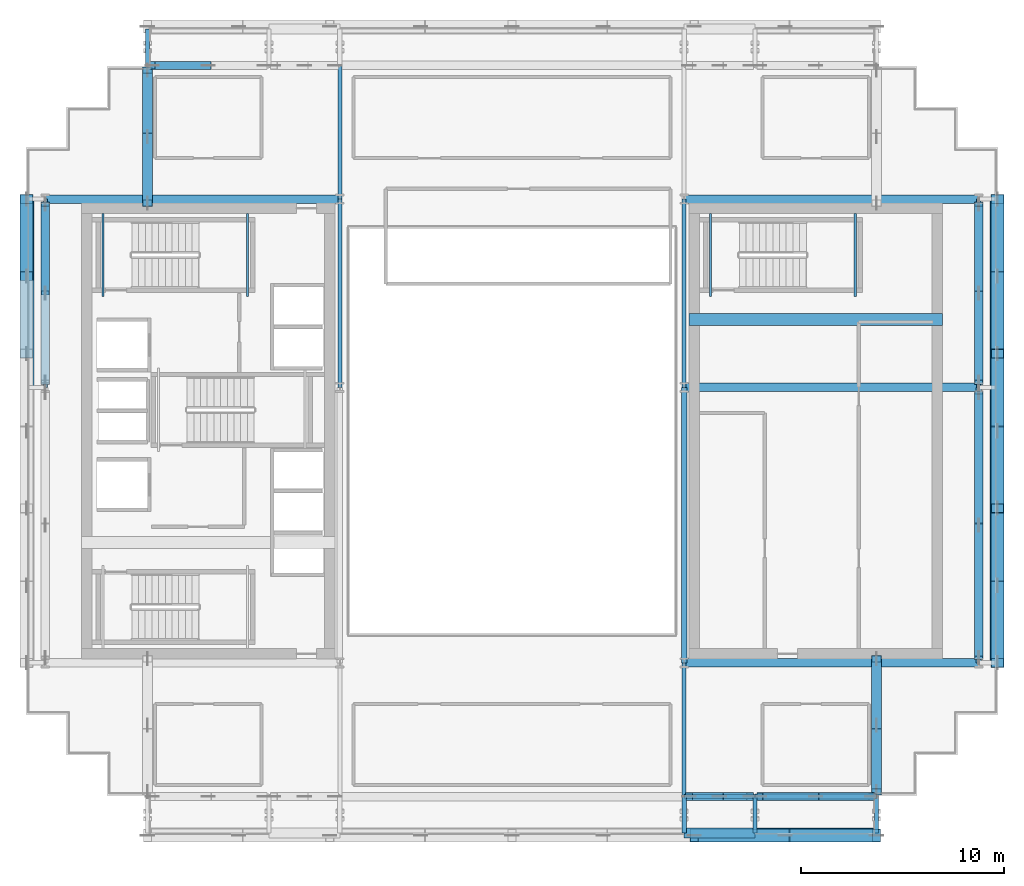
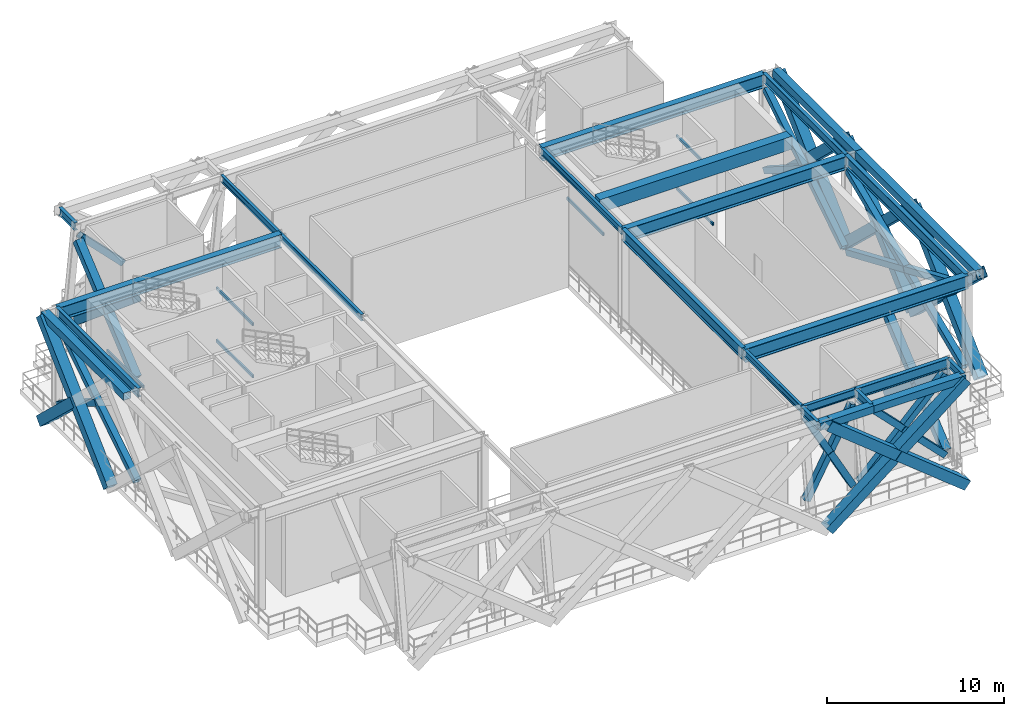
# One storey, part 2 of 13: 35 members, 30 beams.
"""IFC4 building model written with IfcOpenShell, lengths in metres."""

from ifc_helpers import new_model, si_unit, direction, frame, origin, origin_2d, place, context, subcontext, project, spatial, rectangle, hollow_rectangle, i_section, extrude, source, transform, mapped, material, material_profile, profile_set, type_object, element, save


model = new_model("IFC4")

# Units and contexts
model_context = context("Model", 3, precision=1e-05, world=origin(), true_north=direction((0.0, 1.0)))
body_context = subcontext(model_context, "Body", "Model", "MODEL_VIEW")
ifc_project = project(units=[si_unit("LENGTHUNIT", "METRE"), si_unit("AREAUNIT", "SQUARE_METRE"), si_unit("VOLUMEUNIT", "CUBIC_METRE"), si_unit("PLANEANGLEUNIT", "RADIAN"), si_unit("MASSUNIT", "GRAM", prefix="KILO")], contexts=[model_context])

# Site, building, storey
site_placement = place(None, origin())
site = spatial("IfcSite", under=ifc_project, at=site_placement, CompositionType="ELEMENT")
building_placement = place(site_placement, origin())
building = spatial("IfcBuilding", under=site, at=building_placement, Name="Ocotamira Hotel", CompositionType="ELEMENT")
storey_placement = place(building_placement, frame((0.0, 0.0, 220.800048828125)))
storey = spatial("IfcBuildingStorey", under=building, at=storey_placement, Name="L56", CompositionType="ELEMENT", Elevation=220.800048828125)

# Beams
ifc_material_1 = material(Name="Concrete C50/60", Category="concrete")
ifc_material_profile_1 = material_profile(ifc_material_1, rectangle(XDim=0.60009765625, YDim=0.89990234375, at=origin_2d()), Name="RC600X900")
ifc_profile_set_1 = profile_set([ifc_material_profile_1], Name="Concrete C50/60")
beam_type_1 = type_object("IfcBeamType", Name="BM-LINK-RC600", PredefinedType="LINTEL", material=ifc_profile_set_1)
shared_shape_1 = source(origin(), body_context, "Body", "SweptSolid", [
    extrude(rectangle(XDim=0.60009765625, YDim=0.89990234375, at=origin_2d()), origin(), (0.0, 0.0, 1.0), 12.5),
])
beam_1_placement = place(storey_placement, frame((40.75, 31.5, 6.469970703125), z_axis=(1.0, 0.0, 0.0), x_axis=(0.0, 1.0, 0.0)))
element("IfcBeam", 1, at=beam_1_placement, inside=storey, type_object=beam_type_1, Name="L56 East Core Coupling Beam", PredefinedType="LINTEL", context=body_context, shape_type="MappedRepresentation", body=[
    mapped(shared_shape_1, transform((0.0, 0.0, 0.0), scale=1.0)),
])
ifc_material_2 = material(Name="Steel ASTM A500 Grade C", Category="steel")
ifc_material_profile_2 = material_profile(ifc_material_2, hollow_rectangle(XDim=0.10009765625, YDim=0.199951171875, WallThickness=0.008056640625, at=origin_2d()), Name="HSS200X100X8")
ifc_profile_set_2 = profile_set([ifc_material_profile_2], Name="Steel ASTM A500 Grade C")
beam_type_2 = type_object("IfcBeamType", Name="BM-STLDG-HSS200", PredefinedType="BEAM", material=ifc_profile_set_2)
shared_shape_2 = source(origin(), body_context, "Body", "SweptSolid", [
    extrude(hollow_rectangle(XDim=0.10009765625, YDim=0.199951171875, WallThickness=0.008056640625, at=origin_2d()), origin(), (0.0, 0.0, 1.0), 4.1201171875),
])
for number, where, z_axis, x_axis, name in (
    (2, (18.949951171875, 32.6298828125, 1.5), (0.0, 1.0, 0.0), (-1.0, 0.0, 0.0), "L56 Stair ST-2 Landing Bearer 1"),
    (3, (11.81005859375, 32.6298828125, 3.300048828125), (0.0, 1.0, 0.0), (-1.0, 0.0, 0.0), "L56 Stair ST-2 Landing Bearer 2"),
    (4, (18.949951171875, 32.6298828125, 5.099853515625), (0.0, 1.0, 0.0), (-1.0, 0.0, 0.0), "L56 Stair ST-2 Landing Bearer 3"),
    (5, (48.949951171875, 32.6298828125, 1.5), (0.0, 1.0, 0.0), (-1.0, 0.0, 0.0), "L56 Stair ST-4 Landing Bearer 1"),
    (6, (41.81005859375, 32.6298828125, 3.300048828125), (0.0, 1.0, 0.0), (-1.0, 0.0, 0.0), "L56 Stair ST-4 Landing Bearer 2"),
    (7, (48.949951171875, 32.6298828125, 5.099853515625), (0.0, 1.0, 0.0), (-1.0, 0.0, 0.0), "L56 Stair ST-4 Landing Bearer 3"),
):
    element("IfcBeam", number, at=place(storey_placement, frame(where, z_axis=z_axis, x_axis=x_axis)), inside=storey, type_object=beam_type_2, Name=name, PredefinedType="BEAM", context=body_context, shape_type="MappedRepresentation", body=[
        mapped(shared_shape_2, transform((0.0, 0.0, 0.0), scale=1.0)),
    ])
ifc_material_3 = material(Name="Steel ASTM A992 Grade 50", Category="steel")
ifc_material_profile_3 = material_profile(ifc_material_3, i_section(OverallWidth=0.41796875, OverallDepth=0.927001953125, WebThickness=0.019287109375, FlangeThickness=0.031982421875, FilletRadius=0.02392578125, at=origin_2d()), Name="W36X231")
ifc_profile_set_3 = profile_set([ifc_material_profile_3], Name="Steel ASTM A992 Grade 50")
beam_type_3 = type_object("IfcBeamType", Name="BM-GIRD-W36X231", PredefinedType="BEAM", material=ifc_profile_set_3)
shared_shape_3 = source(origin(), body_context, "Body", "SweptSolid", [
    extrude(i_section(OverallWidth=0.41796875, OverallDepth=0.927001953125, WebThickness=0.019287109375, FlangeThickness=0.031982421875, FilletRadius=0.02392578125, at=origin_2d()), origin(), (0.0, 0.0, 1.0), 14.550048828125),
])
for number, where, z_axis, x_axis, name in (
    (8, (40.5, 14.550048828125, 6.45654296875), (1.0, 0.0, 0.0), (0.0, 1.0, 0.0), "L56 Girder Y14.55 X40.5-55.05"),
    (9, (40.5, 28.14990234375, 6.45654296875), (1.0, 0.0, 0.0), (0.0, 1.0, 0.0), "L56 Girder Y28.15 X40.5-55.05"),
    (10, (8.949951171875, 37.449951171875, 6.45654296875), (1.0, 0.0, 0.0), (0.0, 1.0, 0.0), "L56 Girder Y37.45 X8.95-23.5"),
    (11, (40.5, 37.449951171875, 6.45654296875), (1.0, 0.0, 0.0), (0.0, 1.0, 0.0), "L56 Girder Y37.45 X40.5-55.05"),
):
    element("IfcBeam", number, at=place(storey_placement, frame(where, z_axis=z_axis, x_axis=x_axis)), inside=storey, type_object=beam_type_3, Name=name, PredefinedType="BEAM", context=body_context, shape_type="MappedRepresentation", body=[
        mapped(shared_shape_3, transform((0.0, 0.0, 0.0), scale=1.0)),
    ])
ifc_material_profile_4 = material_profile(ifc_material_3, i_section(OverallWidth=0.256103515625, OverallDepth=0.693115234375, WebThickness=0.014404296875, FlangeThickness=0.023681640625, FilletRadius=0.01611328125, at=origin_2d()), Name="W27X114")
ifc_profile_set_4 = profile_set([ifc_material_profile_4], Name="Steel ASTM A992 Grade 50")
beam_type_4 = type_object("IfcBeamType", Name="BM-PRIM-W27X114", PredefinedType="BEAM", material=ifc_profile_set_4)
shared_shape_4 = source(origin(), body_context, "Body", "SweptSolid", [
    extrude(i_section(OverallWidth=0.256103515625, OverallDepth=0.693115234375, WebThickness=0.014404296875, FlangeThickness=0.023681640625, FilletRadius=0.01611328125, at=origin_2d()), origin(), (0.0, 0.0, 1.0), 6.0),
])
beam_2_placement = place(storey_placement, frame((44.0, 7.949951171875, 6.573486328125), z_axis=(1.0, 0.0, 0.0), x_axis=(0.0, 1.0, 0.0)))
element("IfcBeam", 12, at=beam_2_placement, inside=storey, type_object=beam_type_4, Name="L56 Girder Y7.95 X44-50", PredefinedType="BEAM", context=body_context, shape_type="MappedRepresentation", body=[
    mapped(shared_shape_4, transform((0.0, 0.0, 0.0), scale=1.0)),
])
ifc_material_profile_5 = material_profile(ifc_material_3, i_section(OverallWidth=0.2099609375, OverallDepth=0.537109375, WebThickness=0.010986328125, FlangeThickness=0.017333984375, FilletRadius=0.012939453125, at=origin_2d()), Name="W21X68")
ifc_profile_set_5 = profile_set([ifc_material_profile_5], Name="Steel ASTM A992 Grade 50")
beam_type_5 = type_object("IfcBeamType", Name="BM-SEC-W21X68", PredefinedType="JOIST", material=ifc_profile_set_5)
shared_shape_5 = source(origin(), body_context, "Body", "SweptSolid", [
    extrude(i_section(OverallWidth=0.2099609375, OverallDepth=0.537109375, WebThickness=0.010986328125, FlangeThickness=0.017333984375, FilletRadius=0.012939453125, at=origin_2d()), origin(), (0.0, 0.0, 1.0), 3.5),
])
beam_3_placement = place(storey_placement, frame((40.5, 7.949951171875, 6.6513671875), z_axis=(1.0, 0.0, 0.0), x_axis=(0.0, 1.0, 0.0)))
element("IfcBeam", 13, at=beam_3_placement, inside=storey, type_object=beam_type_5, Name="L56 Girder Y7.95 X40.5-44", PredefinedType="JOIST", context=body_context, shape_type="MappedRepresentation", body=[
    mapped(shared_shape_5, transform((0.0, 0.0, 0.0), scale=1.0)),
])
ifc_material_profile_6 = material_profile(ifc_material_3, i_section(OverallWidth=0.26611328125, OverallDepth=0.779052734375, WebThickness=0.0166015625, FlangeThickness=0.030029296875, FilletRadius=0.01806640625, at=origin_2d()), Name="W30X148")
ifc_profile_set_6 = profile_set([ifc_material_profile_6], Name="Steel ASTM A992 Grade 50")
beam_type_6 = type_object("IfcBeamType", Name="BM-GIRD-W30X148", PredefinedType="BEAM", material=ifc_profile_set_6)
shared_shape_6 = source(origin(), body_context, "Body", "SweptSolid", [
    extrude(i_section(OverallWidth=0.26611328125, OverallDepth=0.779052734375, WebThickness=0.0166015625, FlangeThickness=0.030029296875, FilletRadius=0.01806640625, at=origin_2d()), origin(), (0.0, 0.0, 1.0), 13.599853515625),
])
for number, where, z_axis, x_axis, name in (
    (14, (40.5, 14.550048828125, 6.530517578125), (0.0, 1.0, 0.0), (-1.0, 0.0, 0.0), "L56 Beam X40.5 Y14.55-28.15"),
    (15, (55.050048828125, 14.550048828125, 6.530517578125), (0.0, 1.0, 0.0), (-1.0, 0.0, 0.0), "L56 Beam X55.05 Y14.55-28.15"),
):
    element("IfcBeam", number, at=place(storey_placement, frame(where, z_axis=z_axis, x_axis=x_axis)), inside=storey, type_object=beam_type_6, Name=name, PredefinedType="BEAM", context=body_context, shape_type="MappedRepresentation", body=[
        mapped(shared_shape_6, transform((0.0, 0.0, 0.0), scale=1.0)),
    ])
ifc_material_profile_7 = material_profile(ifc_material_3, i_section(OverallWidth=0.22998046875, OverallDepth=0.616943359375, WebThickness=0.01318359375, FlangeThickness=0.022216796875, FilletRadius=0.012939453125, at=origin_2d()), Name="W24X94")
ifc_profile_set_7 = profile_set([ifc_material_profile_7], Name="Steel ASTM A992 Grade 50")
beam_type_7 = type_object("IfcBeamType", Name="BM-PRIM-W24X94", PredefinedType="BEAM", material=ifc_profile_set_7)
shared_shape_7 = source(origin(), body_context, "Body", "SweptSolid", [
    extrude(i_section(OverallWidth=0.22998046875, OverallDepth=0.616943359375, WebThickness=0.01318359375, FlangeThickness=0.022216796875, FilletRadius=0.012939453125, at=origin_2d()), origin(), (0.0, 0.0, 1.0), 9.300048828125),
])
for number, where, z_axis, x_axis, name in (
    (16, (8.949951171875, 28.14990234375, 6.611572265625), (0.0, 1.0, 0.0), (-1.0, 0.0, 0.0), "L56 Beam X8.95 Y28.15-37.45"),
    (17, (55.050048828125, 28.14990234375, 6.611572265625), (0.0, 1.0, 0.0), (-1.0, 0.0, 0.0), "L56 Beam X55.05 Y28.15-37.45"),
):
    element("IfcBeam", number, at=place(storey_placement, frame(where, z_axis=z_axis, x_axis=x_axis)), inside=storey, type_object=beam_type_7, Name=name, PredefinedType="BEAM", context=body_context, shape_type="MappedRepresentation", body=[
        mapped(shared_shape_7, transform((0.0, 0.0, 0.0), scale=1.0)),
    ])
ifc_material_profile_8 = material_profile(ifc_material_3, i_section(OverallWidth=0.18994140625, OverallDepth=0.45703125, WebThickness=0.009033203125, FlangeThickness=0.014404296875, FilletRadius=0.010009765625, at=origin_2d()), Name="W18X50")
ifc_profile_set_8 = profile_set([ifc_material_profile_8], Name="Steel ASTM A992 Grade 50")
beam_type_8 = type_object("IfcBeamType", Name="BM-SEC-W18X50", PredefinedType="JOIST", material=ifc_profile_set_8)
shared_shape_8 = source(origin(), body_context, "Body", "SweptSolid", [
    extrude(i_section(OverallWidth=0.18994140625, OverallDepth=0.45703125, WebThickness=0.009033203125, FlangeThickness=0.014404296875, FilletRadius=0.010009765625, at=origin_2d()), origin(), (0.0, 0.0, 1.0), 9.300048828125),
])
for number, where, z_axis, x_axis, name in (
    (18, (23.5, 28.14990234375, 6.69140625), (0.0, 1.0, 0.0), (-1.0, 0.0, 0.0), "L56 Beam X23.5 Y28.15-37.45"),
    (19, (40.5, 28.14990234375, 6.69140625), (0.0, 1.0, 0.0), (-1.0, 0.0, 0.0), "L56 Beam X40.5 Y28.15-37.45"),
):
    element("IfcBeam", number, at=place(storey_placement, frame(where, z_axis=z_axis, x_axis=x_axis)), inside=storey, type_object=beam_type_8, Name=name, PredefinedType="JOIST", context=body_context, shape_type="MappedRepresentation", body=[
        mapped(shared_shape_8, transform((0.0, 0.0, 0.0), scale=1.0)),
    ])
ifc_material_profile_9 = material_profile(ifc_material_2, hollow_rectangle(XDim=0.5, YDim=0.5, WallThickness=0.02001953125, at=origin_2d()), Name="HSS500X500X20")
ifc_profile_set_9 = profile_set([ifc_material_profile_9], Name="Steel ASTM A500 Grade C")
beam_type_9 = type_object("IfcBeamType", Name="BM-SPAN-HSS500", PredefinedType="USERDEFINED", material=ifc_profile_set_9)
shared_shape_9 = source(origin(), body_context, "Body", "SweptSolid", [
    extrude(hollow_rectangle(XDim=0.5, YDim=0.5, WallThickness=0.02001953125, at=origin_2d()), origin(), (0.0, 0.0, 1.0), 6.0),
])
beam_4_placement = place(storey_placement, frame((44.0, 6.14990234375, 6.669921875), z_axis=(1.0, 0.0, 0.0), x_axis=(0.0, 1.0, 0.0)))
element("IfcBeam", 20, at=beam_4_placement, inside=storey, type_object=beam_type_9, Name="L56 Edge Spandrel S X44-50", ObjectType="SPANDREL", PredefinedType="USERDEFINED", context=body_context, shape_type="MappedRepresentation", body=[
    mapped(shared_shape_9, transform((0.0, 0.0, 0.0), scale=1.0)),
])
shared_shape_10 = source(origin(), body_context, "Body", "SweptSolid", [
    extrude(hollow_rectangle(XDim=0.5, YDim=0.5, WallThickness=0.02001953125, at=origin_2d()), origin(), (0.0, 0.0, 1.0), 13.599853515625),
])
beam_5_placement = place(storey_placement, frame((55.85009765625, 14.550048828125, 6.669921875), z_axis=(0.0, 1.0, 0.0), x_axis=(-1.0, 0.0, 0.0)))
element("IfcBeam", 21, at=beam_5_placement, inside=storey, type_object=beam_type_9, Name="L56 Edge Spandrel E Y14.55-28.15", ObjectType="SPANDREL", PredefinedType="USERDEFINED", context=body_context, shape_type="MappedRepresentation", body=[
    mapped(shared_shape_10, transform((0.0, 0.0, 0.0), scale=1.0)),
])
shared_shape_11 = source(origin(), body_context, "Body", "SweptSolid", [
    extrude(hollow_rectangle(XDim=0.5, YDim=0.5, WallThickness=0.02001953125, at=origin_2d()), origin(), (0.0, 0.0, 1.0), 9.300048828125),
])
for number, where, z_axis, x_axis, name in (
    (22, (8.14990234375, 28.14990234375, 6.669921875), (0.0, 1.0, 0.0), (-1.0, 0.0, 0.0), "L56 Edge Spandrel W Y28.15-37.45"),
    (23, (55.85009765625, 28.14990234375, 6.669921875), (0.0, 1.0, 0.0), (-1.0, 0.0, 0.0), "L56 Edge Spandrel E Y28.15-37.45"),
):
    element("IfcBeam", number, at=place(storey_placement, frame(where, z_axis=z_axis, x_axis=x_axis)), inside=storey, type_object=beam_type_9, Name=name, ObjectType="SPANDREL", PredefinedType="USERDEFINED", context=body_context, shape_type="MappedRepresentation", body=[
        mapped(shared_shape_11, transform((0.0, 0.0, 0.0), scale=1.0)),
    ])
shared_shape_12 = source(origin(), body_context, "Body", "SweptSolid", [
    extrude(hollow_rectangle(XDim=0.5, YDim=0.5, WallThickness=0.02001953125, at=origin_2d()), origin(), (0.0, 0.0, 1.0), 3.5),
])
beam_6_placement = place(storey_placement, frame((40.5, 6.14990234375, 6.669921875), z_axis=(1.0, 0.0, 0.0), x_axis=(0.0, 1.0, 0.0)))
element("IfcBeam", 24, at=beam_6_placement, inside=storey, type_object=beam_type_9, Name="L56 Edge Spandrel S X40.5-44", ObjectType="SPANDREL", PredefinedType="USERDEFINED", context=body_context, shape_type="MappedRepresentation", body=[
    mapped(shared_shape_12, transform((0.0, 0.0, 0.0), scale=1.0)),
])
shared_shape_13 = source(origin(), body_context, "Body", "SweptSolid", [
    extrude(i_section(OverallWidth=0.18994140625, OverallDepth=0.45703125, WebThickness=0.009033203125, FlangeThickness=0.014404296875, FilletRadius=0.010009765625, at=origin_2d()), origin(), (0.0, 0.0, 1.0), 6.60009765625),
])
for number, where, z_axis, x_axis, name in (
    (25, (23.5, 37.449951171875, 6.69140625), (0.0, 1.0, 0.0), (-1.0, 0.0, 0.0), "L56 Beam X23.5 Y37.45-44.05"),
    (26, (40.5, 7.949951171875, 6.69140625), (0.0, 1.0, 0.0), (-1.0, 0.0, 0.0), "L56 Beam X40.5 Y7.95-14.55"),
):
    element("IfcBeam", number, at=place(storey_placement, frame(where, z_axis=z_axis, x_axis=x_axis)), inside=storey, type_object=beam_type_8, Name=name, PredefinedType="JOIST", context=body_context, shape_type="MappedRepresentation", body=[
        mapped(shared_shape_13, transform((0.0, 0.0, 0.0), scale=1.0)),
    ])
shared_shape_14 = source(origin(), body_context, "Body", "SweptSolid", [
    extrude(i_section(OverallWidth=0.2099609375, OverallDepth=0.537109375, WebThickness=0.010986328125, FlangeThickness=0.017333984375, FilletRadius=0.012939453125, at=origin_2d()), origin(), (0.0, 0.0, 1.0), 1.800048828125),
])
for number, where, z_axis, x_axis, name in (
    (27, (14.0, 44.050048828125, 6.6513671875), (0.0, 1.0, 0.0), (-1.0, 0.0, 0.0), "L56 North Edge Header X14"),
    (28, (40.5, 7.949951171875, 6.6513671875), (0.0, -1.0, 0.0), (1.0, 0.0, 0.0), "L56 South Edge Header X40.5"),
    (29, (44.0, 7.949951171875, 6.6513671875), (0.0, -1.0, 0.0), (1.0, 0.0, 0.0), "L56 South Edge Header X44"),
    (30, (50.0, 7.949951171875, 6.6513671875), (0.0, -1.0, 0.0), (1.0, 0.0, 0.0), "L56 South Edge Header X50"),
):
    element("IfcBeam", number, at=place(storey_placement, frame(where, z_axis=z_axis, x_axis=x_axis)), inside=storey, type_object=beam_type_5, Name=name, PredefinedType="JOIST", context=body_context, shape_type="MappedRepresentation", body=[
        mapped(shared_shape_14, transform((0.0, 0.0, 0.0), scale=1.0)),
    ])

# Members
ifc_material_4 = material(Name="Steel ASTM A913 Grade 65", Category="steel")
ifc_material_profile_10 = material_profile(ifc_material_4, hollow_rectangle(XDim=0.39990234375, YDim=0.39990234375, WallThickness=0.01611328125, at=origin_2d()), Name="HSS400X400X16")
ifc_profile_set_10 = profile_set([ifc_material_profile_10], Name="Steel ASTM A913 Grade 65")
member_type_1 = type_object("IfcMemberType", Name="MEM-BELT-HSS400", PredefinedType="BRACE", material=ifc_profile_set_10)
shared_shape_15 = source(origin(), body_context, "Body", "SweptSolid", [
    extrude(hollow_rectangle(XDim=0.39990234375, YDim=0.39990234375, WallThickness=0.01611328125, at=origin_2d()), origin(), (0.0, 0.0, 1.0), 7.870361328125),
])
member_1_placement = place(storey_placement, frame((44.239990234375, 7.949951171875, 0.349853515625), z_axis=(0.701360444037, 0.0, 0.71280679538), x_axis=(0.0, 1.0, 0.0)))
element("IfcMember", 31, at=member_1_placement, inside=storey, type_object=member_type_1, Name="L56 Belt Truss Diagonal 44,7.95 A", PredefinedType="BRACE", context=body_context, shape_type="MappedRepresentation", body=[
    mapped(shared_shape_15, transform((0.0, 0.0, 0.0), scale=1.0)),
])
shared_shape_16 = source(origin(), body_context, "Body", "SweptSolid", [
    extrude(hollow_rectangle(XDim=0.39990234375, YDim=0.39990234375, WallThickness=0.01611328125, at=origin_2d()), origin(), (0.0, 0.0, 1.0), 3.915283203125),
])
for number, where, z_axis, x_axis, name in (
    (32, (44.239990234375, 7.949951171875, 5.9599609375), (0.70137820504, 0.0, -0.712789319151), (0.0, 1.0, 0.0), "L56 Belt Truss Diagonal 44,7.95 B Lower Half"),
    (33, (47.013916015625, 7.949951171875, 3.140625), (0.70137820504, 0.0, -0.712789319151), (0.0, 1.0, 0.0), "L56 Belt Truss Diagonal 44,7.95 B Upper Half"),
    (34, (14.239990234375, 44.050048828125, 5.9599609375), (0.70137820504, 0.0, -0.712789319151), (0.0, 1.0, 0.0), "L56 Belt Truss Diagonal 14,44.05 B Lower Half"),
):
    element("IfcMember", number, at=place(storey_placement, frame(where, z_axis=z_axis, x_axis=x_axis)), inside=storey, type_object=member_type_1, Name=name, PredefinedType="BRACE", context=body_context, shape_type="MappedRepresentation", body=[
        mapped(shared_shape_16, transform((0.0, 0.0, 0.0), scale=1.0)),
    ])
shared_shape_17 = source(origin(), body_context, "Body", "SweptSolid", [
    extrude(hollow_rectangle(XDim=0.39990234375, YDim=0.39990234375, WallThickness=0.01611328125, at=origin_2d()), origin(), (0.0, 0.0, 1.0), 3.16552734375),
])
member_2_placement = place(storey_placement, frame((40.739990234375, 7.949951171875, 5.9599609375), z_axis=(0.474003238469, 0.0, -0.880523100163), x_axis=(0.0, 1.0, 0.0)))
element("IfcMember", 35, at=member_2_placement, inside=storey, type_object=member_type_1, Name="L56 Belt Truss Diagonal 40.5,7.95 B Lower Half", PredefinedType="BRACE", context=body_context, shape_type="MappedRepresentation", body=[
    mapped(shared_shape_17, transform((0.0, 0.0, 0.0), scale=1.0)),
])
ifc_material_profile_11 = material_profile(ifc_material_4, hollow_rectangle(XDim=0.5, YDim=0.5, WallThickness=0.02001953125, at=origin_2d()), Name="HSS500X500X20")
ifc_profile_set_11 = profile_set([ifc_material_profile_11], Name="Steel ASTM A913 Grade 65")
member_type_2 = type_object("IfcMemberType", Name="MEM-OUT-HSS500", PredefinedType="BRACE", material=ifc_profile_set_11)
shared_shape_18 = source(origin(), body_context, "Body", "SweptSolid", [
    extrude(hollow_rectangle(XDim=0.5, YDim=0.5, WallThickness=0.02001953125, at=origin_2d()), origin(), (0.0, 0.0, 1.0), 8.561767578125),
])
for number, where, z_axis, x_axis, name in (
    (36, (14.0, 37.25, 0.349853515625), (0.0, 0.767362807568, 0.641213163902), (-1.0, 0.0, 0.0), "L56 Outrigger Truss N X14 A"),
    (37, (50.0, 14.75, 0.349853515625), (0.0, -0.767362807568, 0.641213163902), (1.0, 0.0, 0.0), "L56 Outrigger Truss S X50 A"),
):
    element("IfcMember", number, at=place(storey_placement, frame(where, z_axis=z_axis, x_axis=x_axis)), inside=storey, type_object=member_type_2, Name=name, PredefinedType="BRACE", context=body_context, shape_type="MappedRepresentation", body=[
        mapped(shared_shape_18, transform((0.0, 0.0, 0.0), scale=1.0)),
    ])
shared_shape_19 = source(origin(), body_context, "Body", "SweptSolid", [
    extrude(hollow_rectangle(XDim=0.5, YDim=0.5, WallThickness=0.02001953125, at=origin_2d()), origin(), (0.0, 0.0, 1.0), 4.2607421875),
])
for number, where, z_axis, x_axis, name in (
    (38, (14.0, 37.25, 5.83984375), (0.0, 0.767346990836, -0.641232091879), (-1.0, 0.0, 0.0), "L56 Outrigger Truss N X14 B Lower Half"),
    (39, (50.0, 14.75, 5.83984375), (0.0, -0.767346990836, -0.641232091879), (1.0, 0.0, 0.0), "L56 Outrigger Truss S X50 B Lower Half"),
):
    element("IfcMember", number, at=place(storey_placement, frame(where, z_axis=z_axis, x_axis=x_axis)), inside=storey, type_object=member_type_2, Name=name, PredefinedType="BRACE", context=body_context, shape_type="MappedRepresentation", body=[
        mapped(shared_shape_19, transform((0.0, 0.0, 0.0), scale=1.0)),
    ])
shared_shape_20 = source(origin(), body_context, "Body", "SweptSolid", [
    extrude(hollow_rectangle(XDim=0.5, YDim=0.5, WallThickness=0.02001953125, at=origin_2d()), origin(), (0.0, 0.0, 1.0), 4.260986328125),
])
for number, where, z_axis, x_axis, name in (
    (40, (14.0, 40.55029296875, 3.08203125), (0.0, 0.767370549367, -0.6412038989), (-1.0, 0.0, 0.0), "L56 Outrigger Truss N X14 B Upper Half"),
    (41, (50.0, 11.44970703125, 3.08203125), (0.0, -0.767370549367, -0.6412038989), (1.0, 0.0, 0.0), "L56 Outrigger Truss S X50 B Upper Half"),
):
    element("IfcMember", number, at=place(storey_placement, frame(where, z_axis=z_axis, x_axis=x_axis)), inside=storey, type_object=member_type_2, Name=name, PredefinedType="BRACE", context=body_context, shape_type="MappedRepresentation", body=[
        mapped(shared_shape_20, transform((0.0, 0.0, 0.0), scale=1.0)),
    ])
shared_shape_21 = source(origin(), body_context, "Body", "SweptSolid", [
    extrude(hollow_rectangle(XDim=0.39990234375, YDim=0.39990234375, WallThickness=0.01611328125, at=origin_2d()), origin(), (0.0, 0.0, 1.0), 6.371337890625),
])
member_3_placement = place(storey_placement, frame((40.739990234375, 7.949951171875, 0.349853515625), z_axis=(0.474001562656, 0.0, 0.880524002285), x_axis=(0.0, 1.0, 0.0)))
element("IfcMember", 42, at=member_3_placement, inside=storey, type_object=member_type_1, Name="L56 Belt Truss Diagonal 40.5,7.95 A", PredefinedType="BRACE", context=body_context, shape_type="MappedRepresentation", body=[
    mapped(shared_shape_21, transform((0.0, 0.0, 0.0), scale=1.0)),
])
shared_shape_22 = source(origin(), body_context, "Body", "SweptSolid", [
    extrude(hollow_rectangle(XDim=0.39990234375, YDim=0.39990234375, WallThickness=0.01611328125, at=origin_2d()), origin(), (0.0, 0.0, 1.0), 3.165771484375),
])
member_4_placement = place(storey_placement, frame((42.259521484375, 7.949951171875, 3.137451171875), z_axis=(0.473971051091, 0.0, -0.880540426515), x_axis=(0.0, 1.0, 0.0)))
element("IfcMember", 43, at=member_4_placement, inside=storey, type_object=member_type_1, Name="L56 Belt Truss Diagonal 40.5,7.95 B Upper Half", PredefinedType="BRACE", context=body_context, shape_type="MappedRepresentation", body=[
    mapped(shared_shape_22, transform((0.0, 0.0, 0.0), scale=1.0)),
])
shared_shape_23 = source(origin(), body_context, "Body", "SweptSolid", [
    extrude(hollow_rectangle(XDim=0.39990234375, YDim=0.39990234375, WallThickness=0.01611328125, at=origin_2d()), origin(), (0.0, 0.0, 1.0), 14.25048828125),
])
member_5_placement = place(storey_placement, frame((55.050048828125, 14.800048828125, 0.349853515625), z_axis=(0.0, 0.919249561666, 0.393675301965), x_axis=(-1.0, 0.0, 0.0)))
element("IfcMember", 44, at=member_5_placement, inside=storey, type_object=member_type_1, Name="L56 Belt Truss Diagonal 55.05,14.55 A", PredefinedType="BRACE", context=body_context, shape_type="MappedRepresentation", body=[
    mapped(shared_shape_23, transform((0.0, 0.0, 0.0), scale=1.0)),
])
shared_shape_24 = source(origin(), body_context, "Body", "SweptSolid", [
    extrude(hollow_rectangle(XDim=0.39990234375, YDim=0.39990234375, WallThickness=0.01611328125, at=origin_2d()), origin(), (0.0, 0.0, 1.0), 7.105224609375),
])
for number, where, z_axis, x_axis, name in (
    (45, (55.050048828125, 14.800048828125, 5.9599609375), (0.0, 0.919251632975, -0.393670465331), (-1.0, 0.0, 0.0), "L56 Belt Truss Diagonal 55.05,14.55 B Lower Half"),
    (46, (55.050048828125, 21.368408203125, 3.14697265625), (0.0, 0.919251632975, -0.393670465331), (-1.0, 0.0, 0.0), "L56 Belt Truss Diagonal 55.05,14.55 B Upper Half"),
):
    element("IfcMember", number, at=place(storey_placement, frame(where, z_axis=z_axis, x_axis=x_axis)), inside=storey, type_object=member_type_1, Name=name, PredefinedType="BRACE", context=body_context, shape_type="MappedRepresentation", body=[
        mapped(shared_shape_24, transform((0.0, 0.0, 0.0), scale=1.0)),
    ])
shared_shape_25 = source(origin(), body_context, "Body", "SweptSolid", [
    extrude(hollow_rectangle(XDim=0.39990234375, YDim=0.39990234375, WallThickness=0.01611328125, at=origin_2d()), origin(), (0.0, 0.0, 1.0), 10.436279296875),
])
for number, where, z_axis, x_axis, name in (
    (47, (8.949951171875, 28.39990234375, 0.349853515625), (0.0, 0.84322388431, 0.537562536761), (-1.0, 0.0, 0.0), "L56 Belt Truss Diagonal 8.95,28.15 A"),
    (48, (55.050048828125, 28.39990234375, 0.349853515625), (0.0, 0.84322388431, 0.537562536761), (-1.0, 0.0, 0.0), "L56 Belt Truss Diagonal 55.05,28.15 A"),
):
    element("IfcMember", number, at=place(storey_placement, frame(where, z_axis=z_axis, x_axis=x_axis)), inside=storey, type_object=member_type_1, Name=name, PredefinedType="BRACE", context=body_context, shape_type="MappedRepresentation", body=[
        mapped(shared_shape_25, transform((0.0, 0.0, 0.0), scale=1.0)),
    ])
shared_shape_26 = source(origin(), body_context, "Body", "SweptSolid", [
    extrude(hollow_rectangle(XDim=0.39990234375, YDim=0.39990234375, WallThickness=0.01611328125, at=origin_2d()), origin(), (0.0, 0.0, 1.0), 5.1982421875),
])
member_6_placement = place(storey_placement, frame((55.050048828125, 28.39990234375, 5.9599609375), z_axis=(0.0, 0.843241567994, -0.53753479702), x_axis=(-1.0, 0.0, 0.0)))
element("IfcMember", 49, at=member_6_placement, inside=storey, type_object=member_type_1, Name="L56 Belt Truss Diagonal 55.05,28.15 B Lower Half", PredefinedType="BRACE", context=body_context, shape_type="MappedRepresentation", body=[
    mapped(shared_shape_26, transform((0.0, 0.0, 0.0), scale=1.0)),
])
shared_shape_27 = source(origin(), body_context, "Body", "SweptSolid", [
    extrude(hollow_rectangle(XDim=0.39990234375, YDim=0.39990234375, WallThickness=0.01611328125, at=origin_2d()), origin(), (0.0, 0.0, 1.0), 5.197998046875),
])
for number, where, z_axis, x_axis, name in (
    (50, (8.949951171875, 32.81689453125, 3.144287109375), (0.0, 0.843206706256, -0.537589481413), (-1.0, 0.0, 0.0), "L56 Belt Truss Diagonal 8.95,28.15 B Upper Half"),
    (51, (55.050048828125, 32.81689453125, 3.144287109375), (0.0, 0.843206706256, -0.537589481413), (-1.0, 0.0, 0.0), "L56 Belt Truss Diagonal 55.05,28.15 B Upper Half"),
):
    element("IfcMember", number, at=place(storey_placement, frame(where, z_axis=z_axis, x_axis=x_axis)), inside=storey, type_object=member_type_1, Name=name, PredefinedType="BRACE", context=body_context, shape_type="MappedRepresentation", body=[
        mapped(shared_shape_27, transform((0.0, 0.0, 0.0), scale=1.0)),
    ])
ifc_material_5 = material(Name="Pale-metal coated steel ASTM A913 Grade 65", Category="steel")
ifc_material_profile_12 = material_profile(ifc_material_5, hollow_rectangle(XDim=0.64990234375, YDim=0.64990234375, WallThickness=0.02197265625, at=origin_2d()), Name="BOX650X650X22")
ifc_profile_set_12 = profile_set([ifc_material_profile_12], Name="Pale-metal coated steel ASTM A913 Grade 65")
member_type_3 = type_object("IfcMemberType", Name="MEM-EXO-BOX650", PredefinedType="BRACE", material=ifc_profile_set_12)
shared_shape_28 = source(origin(), body_context, "Body", "SweptSolid", [
    extrude(hollow_rectangle(XDim=0.64990234375, YDim=0.64990234375, WallThickness=0.02197265625, at=origin_2d()), origin(), (0.0, 0.0, 1.0), 11.550537109375),
])
member_7_placement = place(storey_placement, frame((41.0, 6.030029296875, -0.570068359375), z_axis=(0.779177095381, 0.0, 0.626803840156), x_axis=(0.0, 1.0, 0.0)))
element("IfcMember", 52, at=member_7_placement, inside=storey, type_object=member_type_3, Name="L56 Exoskeleton Diagrid S3.1", PredefinedType="BRACE", context=body_context, shape_type="MappedRepresentation", body=[
    mapped(shared_shape_28, transform((0.0, 0.0, 0.0), scale=1.0)),
])
shared_shape_29 = source(origin(), body_context, "Body", "SweptSolid", [
    extrude(hollow_rectangle(XDim=0.64990234375, YDim=0.64990234375, WallThickness=0.02197265625, at=origin_2d()), origin(), (0.0, 0.0, 1.0), 5.75537109375),
])
for number, where, z_axis, x_axis, name in (
    (53, (50.0, 6.030029296875, -0.570068359375), (-0.779177419095, 0.0, 0.626803437748), (0.0, -1.0, 0.0), "L56 Exoskeleton Diagrid S3.2 Lower Half"),
    (54, (45.484375, 6.030029296875, 3.0625), (-0.779177419095, 0.0, 0.626803437748), (0.0, -1.0, 0.0), "L56 Exoskeleton Diagrid S3.2 Upper Half"),
):
    element("IfcMember", number, at=place(storey_placement, frame(where, z_axis=z_axis, x_axis=x_axis)), inside=storey, type_object=member_type_3, Name=name, PredefinedType="BRACE", context=body_context, shape_type="MappedRepresentation", body=[
        mapped(shared_shape_29, transform((0.0, 0.0, 0.0), scale=1.0)),
    ])
shared_shape_30 = source(origin(), body_context, "Body", "SweptSolid", [
    extrude(hollow_rectangle(XDim=0.64990234375, YDim=0.64990234375, WallThickness=0.02197265625, at=origin_2d()), origin(), (0.0, 0.0, 1.0), 10.520751953125),
])
for number, where, z_axis, x_axis, name in (
    (55, (8.030029296875, 29.816650390625, -0.570068359375), (0.0, 0.725551930721, 0.688167418458), (-1.0, 0.0, 0.0), "L56 Exoskeleton Diagrid W2.1"),
    (56, (55.969970703125, 14.550048828125, -0.570068359375), (0.0, 0.725551930721, 0.688167418458), (-1.0, 0.0, 0.0), "L56 Exoskeleton Diagrid E0.1"),
    (57, (55.969970703125, 22.183349609375, -0.570068359375), (0.0, 0.725551930721, 0.688167418458), (-1.0, 0.0, 0.0), "L56 Exoskeleton Diagrid E1.1"),
    (58, (55.969970703125, 29.816650390625, -0.570068359375), (0.0, 0.725551930721, 0.688167418458), (-1.0, 0.0, 0.0), "L56 Exoskeleton Diagrid E2.1"),
):
    element("IfcMember", number, at=place(storey_placement, frame(where, z_axis=z_axis, x_axis=x_axis)), inside=storey, type_object=member_type_3, Name=name, PredefinedType="BRACE", context=body_context, shape_type="MappedRepresentation", body=[
        mapped(shared_shape_30, transform((0.0, 0.0, 0.0), scale=1.0)),
    ])
shared_shape_31 = source(origin(), body_context, "Body", "SweptSolid", [
    extrude(hollow_rectangle(XDim=0.64990234375, YDim=0.64990234375, WallThickness=0.02197265625, at=origin_2d()), origin(), (0.0, 0.0, 1.0), 5.240478515625),
])
for number, where, z_axis, x_axis, name in (
    (59, (55.969970703125, 22.183349609375, -0.570068359375), (0.0, -0.725564492099, 0.688154174444), (1.0, 0.0, 0.0), "L56 Exoskeleton Diagrid E0.2 Lower Half"),
    (60, (55.969970703125, 29.816650390625, -0.570068359375), (0.0, -0.725564492099, 0.688154174444), (1.0, 0.0, 0.0), "L56 Exoskeleton Diagrid E1.2 Lower Half"),
    (61, (55.969970703125, 25.985595703125, 3.063720703125), (0.0, -0.725564492099, 0.688154174444), (1.0, 0.0, 0.0), "L56 Exoskeleton Diagrid E1.2 Upper Half"),
    (62, (55.969970703125, 33.618896484375, 3.063720703125), (0.0, -0.725564492099, 0.688154174444), (1.0, 0.0, 0.0), "L56 Exoskeleton Diagrid E2.2 Upper Half"),
):
    element("IfcMember", number, at=place(storey_placement, frame(where, z_axis=z_axis, x_axis=x_axis)), inside=storey, type_object=member_type_3, Name=name, PredefinedType="BRACE", context=body_context, shape_type="MappedRepresentation", body=[
        mapped(shared_shape_31, transform((0.0, 0.0, 0.0), scale=1.0)),
    ])
shared_shape_32 = source(origin(), body_context, "Body", "SweptSolid", [
    extrude(hollow_rectangle(XDim=0.64990234375, YDim=0.64990234375, WallThickness=0.02197265625, at=origin_2d()), origin(), (0.0, 0.0, 1.0), 5.240234375),
])
for number, where, z_axis, x_axis, name in (
    (63, (8.030029296875, 37.449951171875, -0.570068359375), (0.0, -0.725542428855, 0.688177436372), (1.0, 0.0, 0.0), "L56 Exoskeleton Diagrid W2.2 Lower Half"),
    (64, (55.969970703125, 18.35205078125, 3.063720703125), (0.0, -0.725542428855, 0.688177436372), (1.0, 0.0, 0.0), "L56 Exoskeleton Diagrid E0.2 Upper Half"),
    (65, (55.969970703125, 37.449951171875, -0.570068359375), (0.0, -0.725542428855, 0.688177436372), (1.0, 0.0, 0.0), "L56 Exoskeleton Diagrid E2.2 Lower Half"),
):
    element("IfcMember", number, at=place(storey_placement, frame(where, z_axis=z_axis, x_axis=x_axis)), inside=storey, type_object=member_type_3, Name=name, PredefinedType="BRACE", context=body_context, shape_type="MappedRepresentation", body=[
        mapped(shared_shape_32, transform((0.0, 0.0, 0.0), scale=1.0)),
    ])

save(model, "model.ifc")
